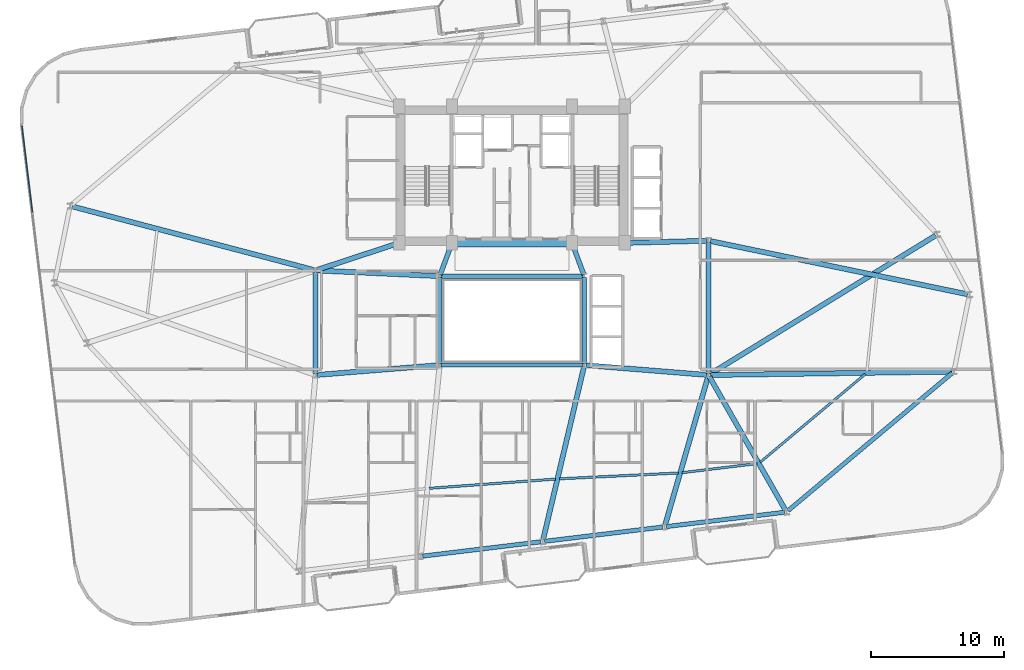
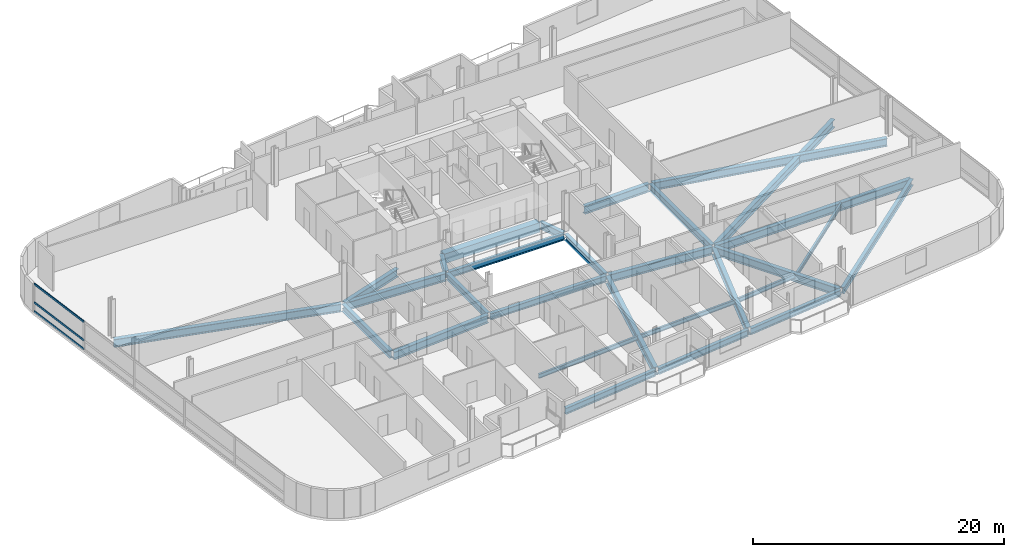
# One storey, part 7 of 23: 29 beams, 3 members, 1 element without a shape of its own.
"""IFC4 building model written with IfcOpenShell, lengths in metres."""

from ifc_helpers import new_model, si_unit, direction, frame, origin, origin_2d, place, context, subcontext, project, spatial, rectangle, hollow_rectangle, i_section, extrude, material, layer, layer_set, material_profile, profile_set, type_object, element, aggregate, save


model = new_model("IFC4")

# Units and contexts
model_context = context("Model", 3, precision=1e-05, world=origin(), true_north=direction((0.0, 1.0)))
body_context = subcontext(model_context, "Body", "Model", "MODEL_VIEW")
ifc_project = project(units=[si_unit("LENGTHUNIT", "METRE"), si_unit("AREAUNIT", "SQUARE_METRE"), si_unit("VOLUMEUNIT", "CUBIC_METRE"), si_unit("PLANEANGLEUNIT", "RADIAN"), si_unit("MASSUNIT", "GRAM", prefix="KILO")], contexts=[model_context])

# Site, building, storey
site_placement = place(None, origin())
site = spatial("IfcSite", under=ifc_project, at=site_placement, CompositionType="ELEMENT")
building_placement = place(site_placement, origin())
building = spatial("IfcBuilding", under=site, at=building_placement, Name="Varnelok Gate Tower", CompositionType="ELEMENT")
storey_placement = place(building_placement, frame((0.0, 0.0, 189.39990234375)))
storey = spatial("IfcBuildingStorey", under=building, at=storey_placement, Name="L48", CompositionType="ELEMENT", Elevation=189.39990234375)

# Beams
ifc_material_1 = material(Name="Structural Steel ASTM A992 Grade 50", Category="steel")
ifc_material_profile_1 = material_profile(ifc_material_1, i_section(OverallWidth=0.180908203125, OverallDepth=0.4169921875, WebThickness=0.010986328125, FlangeThickness=0.018310546875, FilletRadius=0.013916015625, at=origin_2d()), Name="W16X57")
ifc_profile_set_1 = profile_set([ifc_material_profile_1], Name="Structural Steel ASTM A992 Grade 50")
beam_type_1 = type_object("IfcBeamType", Name="BM-JST-W16X57", PredefinedType="JOIST", material=ifc_profile_set_1)
beam_1_placement = place(storey_placement, frame((32.970703125, 10.269775390625, -0.45849609375), z_axis=(0.997322853736, 0.073124041296, 0.0), x_axis=(-0.073124041296, 0.997322853736, 0.0)))
element("IfcBeam", 1, at=beam_1_placement, inside=storey, type_object=beam_type_1, Name="L48 Sector Floor Joist 2", PredefinedType="JOIST", context=body_context, shape_type="SweptSolid", body=[
    extrude(i_section(OverallWidth=0.180908203125, OverallDepth=0.4169921875, WebThickness=0.010986328125, FlangeThickness=0.018310546875, FilletRadius=0.013916015625, at=origin_2d()), origin(), (0.0, 0.0, 1.0), 9.538818359375),
])
beam_2_placement = place(storey_placement, frame((42.763427734375, 10.984375, -0.45849609375), z_axis=(0.998806692887, 0.048838409527, 0.0), x_axis=(-0.048838409527, 0.998806692887, 0.0)))
element("IfcBeam", 2, at=beam_2_placement, inside=storey, type_object=beam_type_1, Name="L48 Sector Floor Joist 3", PredefinedType="JOIST", context=body_context, shape_type="SweptSolid", body=[
    extrude(i_section(OverallWidth=0.180908203125, OverallDepth=0.4169921875, WebThickness=0.010986328125, FlangeThickness=0.018310546875, FilletRadius=0.013916015625, at=origin_2d()), origin(), (0.0, 0.0, 1.0), 8.97314453125),
])
beam_3_placement = place(storey_placement, frame((52.004638671875, 11.4462890625, -0.45849609375), z_axis=(0.992732072323, 0.12034547179, 0.0), x_axis=(-0.12034547179, 0.992732072323, 0.0)))
element("IfcBeam", 3, at=beam_3_placement, inside=storey, type_object=beam_type_1, Name="L48 Sector Floor Joist 4", PredefinedType="JOIST", context=body_context, shape_type="SweptSolid", body=[
    extrude(i_section(OverallWidth=0.180908203125, OverallDepth=0.4169921875, WebThickness=0.010986328125, FlangeThickness=0.018310546875, FilletRadius=0.013916015625, at=origin_2d()), origin(), (0.0, 0.0, 1.0), 5.686279296875),
])
beam_4_placement = place(storey_placement, frame((57.89599609375, 12.2373046875, -0.45849609375), z_axis=(0.766092067024, 0.642730849457, 0.0), x_axis=(-0.642730849457, 0.766092067024, 0.0)))
element("IfcBeam", 4, at=beam_4_placement, inside=storey, type_object=beam_type_1, Name="L48 Sector Floor Joist 5", PredefinedType="JOIST", context=body_context, shape_type="SweptSolid", body=[
    extrude(i_section(OverallWidth=0.180908203125, OverallDepth=0.4169921875, WebThickness=0.010986328125, FlangeThickness=0.018310546875, FilletRadius=0.013916015625, at=origin_2d()), origin(), (0.0, 0.0, 1.0), 10.330810546875),
])
ifc_material_2 = material(Name="Concrete C60/75", Category="concrete")
ifc_material_profile_2 = material_profile(ifc_material_2, rectangle(XDim=0.60009765625, YDim=0.949951171875, at=origin_2d()), Name="RC950X600")
ifc_profile_set_2 = profile_set([ifc_material_profile_2], Name="Concrete C60/75")
beam_type_2 = type_object("IfcBeamType", Name="BM-LNT-RC950", PredefinedType="LINTEL", material=ifc_profile_set_2)
beam_5_placement = place(storey_placement, frame((34.800048828125, 28.75, -0.724853515625), z_axis=(1.0, 0.0, 0.0), x_axis=(0.0, 1.0, 0.0)))
element("IfcBeam", 5, at=beam_5_placement, inside=storey, type_object=beam_type_2, Name="L48 Core-Atrium Spine Beam 7", PredefinedType="LINTEL", context=body_context, shape_type="SweptSolid", body=[
    extrude(rectangle(XDim=0.60009765625, YDim=0.949951171875, at=origin_2d()), origin(), (0.0, 0.0, 1.0), 8.800048828125),
])
ifc_material_profile_3 = material_profile(ifc_material_1, i_section(OverallWidth=0.35498046875, OverallDepth=0.696044921875, WebThickness=0.015380859375, FlangeThickness=0.02490234375, FilletRadius=0.02001953125, at=origin_2d()), Name="W27X146")
ifc_profile_set_3 = profile_set([ifc_material_profile_3], Name="Structural Steel ASTM A992 Grade 50")
beam_type_3 = type_object("IfcBeamType", Name="BM-PRI-W27X146", PredefinedType="BEAM", material=ifc_profile_set_3)
for number, where, z_axis, x_axis, name in (
    (6, (33.791748046875, 26.362548828125, -0.597900390625), (0.348719329408, 0.937227202602, 0.0), (-0.937227202602, 0.348719329408, 0.0), "L48 Core-Atrium Spine Beam 12"),
    (7, (44.608154296875, 26.362548828125, -0.597900390625), (-0.348719329408, 0.937227202602, 0.0), (-0.937227202602, -0.348719329408, 0.0), "L48 Core-Atrium Spine Beam 13"),
):
    element("IfcBeam", number, at=place(storey_placement, frame(where, z_axis=z_axis, x_axis=x_axis)), inside=storey, type_object=beam_type_3, Name=name, PredefinedType="BEAM", context=body_context, shape_type="SweptSolid", body=[
        extrude(i_section(OverallWidth=0.35498046875, OverallDepth=0.696044921875, WebThickness=0.015380859375, FlangeThickness=0.02490234375, FilletRadius=0.02001953125, at=origin_2d()), origin(), (0.0, 0.0, 1.0), 2.42724609375),
    ])
beam_6_placement = place(storey_placement, frame((24.39990234375, 18.919921875, -0.597900390625), z_axis=(0.0, 1.0, 0.0), x_axis=(-1.0, 0.0, 0.0)))
element("IfcBeam", 8, at=beam_6_placement, inside=storey, type_object=beam_type_3, Name="L48 Core-Atrium Spine Beam 16", PredefinedType="BEAM", context=body_context, shape_type="SweptSolid", body=[
    extrude(i_section(OverallWidth=0.35498046875, OverallDepth=0.696044921875, WebThickness=0.015380859375, FlangeThickness=0.02490234375, FilletRadius=0.02001953125, at=origin_2d()), origin(), (0.0, 0.0, 1.0), 7.64013671875),
])
beam_7_placement = place(storey_placement, frame((54.0, 18.919921875, -0.597900390625), z_axis=(0.0, 1.0, 0.0), x_axis=(-1.0, 0.0, 0.0)))
element("IfcBeam", 9, at=beam_7_placement, inside=storey, type_object=beam_type_3, Name="L48 Core-Atrium Spine Beam 20", PredefinedType="BEAM", context=body_context, shape_type="SweptSolid", body=[
    extrude(i_section(OverallWidth=0.35498046875, OverallDepth=0.696044921875, WebThickness=0.015380859375, FlangeThickness=0.02490234375, FilletRadius=0.02001953125, at=origin_2d()), origin(), (0.0, 0.0, 1.0), 9.880126953125),
])
ifc_material_profile_4 = material_profile(ifc_material_1, i_section(OverallWidth=0.381103515625, OverallDepth=0.77294921875, WebThickness=0.0166015625, FlangeThickness=0.027099609375, FilletRadius=0.02197265625, at=origin_2d()), Name="W30X173")
ifc_profile_set_4 = profile_set([ifc_material_profile_4], Name="Structural Steel ASTM A992 Grade 50")
beam_type_4 = type_object("IfcBeamType", Name="BM-PRI-W30X173", PredefinedType="BEAM", material=ifc_profile_set_4)
beam_8_placement = place(storey_placement, frame((24.51953125, 18.8095703125, -0.636474609375), z_axis=(0.996799206292, 0.07994587128, 0.0), x_axis=(-0.07994587128, 0.996799206292, 0.0)))
element("IfcBeam", 10, at=beam_8_placement, inside=storey, type_object=beam_type_4, Name="L48 Core-Atrium Spine Beam 14", PredefinedType="BEAM", context=body_context, shape_type="SweptSolid", body=[
    extrude(i_section(OverallWidth=0.381103515625, OverallDepth=0.77294921875, WebThickness=0.0166015625, FlangeThickness=0.027099609375, FilletRadius=0.02197265625, at=origin_2d()), origin(), (0.0, 0.0, 1.0), 9.14013671875),
])
beam_9_placement = place(storey_placement, frame((24.52001953125, 26.674560546875, -0.636474609375), z_axis=(0.99894427814, -0.045938319209, 0.0), x_axis=(0.045938319209, 0.99894427814, 0.0)))
element("IfcBeam", 11, at=beam_9_placement, inside=storey, type_object=beam_type_4, Name="L48 Core-Atrium Spine Beam 15", PredefinedType="BEAM", context=body_context, shape_type="SweptSolid", body=[
    extrude(i_section(OverallWidth=0.381103515625, OverallDepth=0.77294921875, WebThickness=0.0166015625, FlangeThickness=0.027099609375, FilletRadius=0.02197265625, at=origin_2d()), origin(), (0.0, 0.0, 1.0), 9.11962890625),
])
beam_10_placement = place(storey_placement, frame((24.513916015625, 26.717529296875, -0.636474609375), z_axis=(0.950041943788, 0.312122259768, 0.0), x_axis=(-0.312122259768, 0.950041943788, 0.0)))
element("IfcBeam", 12, at=beam_10_placement, inside=storey, type_object=beam_type_4, Name="L48 Core-Atrium Spine Beam 17", PredefinedType="BEAM", context=body_context, shape_type="SweptSolid", body=[
    extrude(i_section(OverallWidth=0.381103515625, OverallDepth=0.77294921875, WebThickness=0.0166015625, FlangeThickness=0.027099609375, FilletRadius=0.02197265625, at=origin_2d()), origin(), (0.0, 0.0, 1.0), 6.391357421875),
])
beam_11_placement = place(storey_placement, frame((44.76953125, 19.540283203125, -0.636474609375), z_axis=(0.996799206292, -0.07994587128, 0.0), x_axis=(0.07994587128, 0.996799206292, 0.0)))
element("IfcBeam", 13, at=beam_11_placement, inside=storey, type_object=beam_type_4, Name="L48 Core-Atrium Spine Beam 18", PredefinedType="BEAM", context=body_context, shape_type="SweptSolid", body=[
    extrude(i_section(OverallWidth=0.381103515625, OverallDepth=0.77294921875, WebThickness=0.0166015625, FlangeThickness=0.027099609375, FilletRadius=0.02197265625, at=origin_2d()), origin(), (0.0, 0.0, 1.0), 9.14013671875),
])
beam_12_placement = place(storey_placement, frame((47.820068359375, 28.753173828125, -0.636474609375), z_axis=(0.999635880609, 0.026983443053, 0.0), x_axis=(-0.026983443053, 0.999635880609, 0.0)))
element("IfcBeam", 14, at=beam_12_placement, inside=storey, type_object=beam_type_4, Name="L48 Core-Atrium Spine Beam 19", PredefinedType="BEAM", context=body_context, shape_type="SweptSolid", body=[
    extrude(i_section(OverallWidth=0.381103515625, OverallDepth=0.77294921875, WebThickness=0.0166015625, FlangeThickness=0.027099609375, FilletRadius=0.02197265625, at=origin_2d()), origin(), (0.0, 0.0, 1.0), 6.06201171875),
])
beam_13_placement = place(storey_placement, frame((44.615478515625, 19.404052734375, -0.636474609375), z_axis=(-0.230051892852, -0.973178363197, 0.0), x_axis=(0.973178363197, -0.230051892852, 0.0)))
element("IfcBeam", 15, at=beam_13_placement, inside=storey, type_object=beam_type_4, Name="L48 Radial Floor Girder 3", PredefinedType="BEAM", context=body_context, shape_type="SweptSolid", body=[
    extrude(i_section(OverallWidth=0.381103515625, OverallDepth=0.77294921875, WebThickness=0.0166015625, FlangeThickness=0.027099609375, FilletRadius=0.02197265625, at=origin_2d()), origin(), (0.0, 0.0, 1.0), 13.356689453125),
])
beam_14_placement = place(storey_placement, frame((53.958251953125, 18.656005859375, -0.636474609375), z_axis=(-0.278139351158, -0.960540733825, 0.0), x_axis=(0.960540733825, -0.278139351158, 0.0)))
element("IfcBeam", 16, at=beam_14_placement, inside=storey, type_object=beam_type_4, Name="L48 Radial Floor Girder 4", PredefinedType="BEAM", context=body_context, shape_type="SweptSolid", body=[
    extrude(i_section(OverallWidth=0.381103515625, OverallDepth=0.77294921875, WebThickness=0.0166015625, FlangeThickness=0.027099609375, FilletRadius=0.02197265625, at=origin_2d()), origin(), (0.0, 0.0, 1.0), 11.596923828125),
])
beam_15_placement = place(storey_placement, frame((54.07421875, 18.669677734375, -0.636474609375), z_axis=(0.494868053933, -0.868968128988, 0.0), x_axis=(0.868968128988, 0.494868053933, 0.0)))
element("IfcBeam", 17, at=beam_15_placement, inside=storey, type_object=beam_type_4, Name="L48 Radial Floor Girder 5", PredefinedType="BEAM", context=body_context, shape_type="SweptSolid", body=[
    extrude(i_section(OverallWidth=0.381103515625, OverallDepth=0.77294921875, WebThickness=0.0166015625, FlangeThickness=0.027099609375, FilletRadius=0.02197265625, at=origin_2d()), origin(), (0.0, 0.0, 1.0), 11.5693359375),
])
beam_16_placement = place(storey_placement, frame((54.14990234375, 18.802001953125, -0.636474609375), z_axis=(0.999901514109, 0.014034318056, 0.0), x_axis=(-0.014034318056, 0.999901514109, 0.0)))
element("IfcBeam", 18, at=beam_16_placement, inside=storey, type_object=beam_type_4, Name="L48 Radial Floor Girder 6", PredefinedType="BEAM", context=body_context, shape_type="SweptSolid", body=[
    extrude(i_section(OverallWidth=0.381103515625, OverallDepth=0.77294921875, WebThickness=0.0166015625, FlangeThickness=0.027099609375, FilletRadius=0.02197265625, at=origin_2d()), origin(), (0.0, 0.0, 1.0), 18.1787109375),
])
beam_17_placement = place(storey_placement, frame((54.14697265625, 28.8896484375, -0.636474609375), z_axis=(0.979255265667, -0.202630512665, 0.0), x_axis=(0.202630512665, 0.979255265667, 0.0)))
element("IfcBeam", 19, at=beam_17_placement, inside=storey, type_object=beam_type_4, Name="L48 Radial Floor Girder 7", PredefinedType="BEAM", context=body_context, shape_type="SweptSolid", body=[
    extrude(i_section(OverallWidth=0.381103515625, OverallDepth=0.77294921875, WebThickness=0.0166015625, FlangeThickness=0.027099609375, FilletRadius=0.02197265625, at=origin_2d()), origin(), (0.0, 0.0, 1.0), 19.7705078125),
])
beam_18_placement = place(storey_placement, frame((54.127685546875, 18.87841796875, -0.636474609375), z_axis=(0.852014595228, 0.523518031703, 0.0), x_axis=(-0.523518031703, 0.852014595228, 0.0)))
element("IfcBeam", 20, at=beam_18_placement, inside=storey, type_object=beam_type_4, Name="L48 Radial Floor Girder 8", PredefinedType="BEAM", context=body_context, shape_type="SweptSolid", body=[
    extrude(i_section(OverallWidth=0.381103515625, OverallDepth=0.77294921875, WebThickness=0.0166015625, FlangeThickness=0.027099609375, FilletRadius=0.02197265625, at=origin_2d()), origin(), (0.0, 0.0, 1.0), 19.917236328125),
])
beam_19_placement = place(storey_placement, frame((24.2548828125, 26.71826171875, -0.636474609375), z_axis=(-0.967098244451, 0.254403194908, 0.0), x_axis=(-0.254403194908, -0.967098244451, 0.0)))
element("IfcBeam", 21, at=beam_19_placement, inside=storey, type_object=beam_type_4, Name="L48 Radial Floor Girder 14", PredefinedType="BEAM", context=body_context, shape_type="SweptSolid", body=[
    extrude(i_section(OverallWidth=0.381103515625, OverallDepth=0.77294921875, WebThickness=0.0166015625, FlangeThickness=0.027099609375, FilletRadius=0.02197265625, at=origin_2d()), origin(), (0.0, 0.0, 1.0), 18.805419921875),
])
ifc_material_profile_5 = material_profile(ifc_material_1, i_section(OverallWidth=0.323974609375, OverallDepth=0.611083984375, WebThickness=0.0126953125, FlangeThickness=0.01904296875, FilletRadius=0.01806640625, at=origin_2d()), Name="W24X104")
ifc_profile_set_5 = profile_set([ifc_material_profile_5], Name="Structural Steel ASTM A992 Grade 50")
beam_type_5 = type_object("IfcBeamType", Name="BM-SPN-W24X104", PredefinedType="SPANDREL", material=ifc_profile_set_5)
for number, where, z_axis, x_axis, name in (
    (22, (33.8701171875, 19.550048828125, -0.555419921875), (1.0, 0.0, 0.0), (0.0, 1.0, 0.0), "L48 Core-Atrium Spine Beam 8"),
    (23, (33.8701171875, 26.25, -0.555419921875), (1.0, 0.0, 0.0), (0.0, 1.0, 0.0), "L48 Core-Atrium Spine Beam 9"),
):
    element("IfcBeam", number, at=place(storey_placement, frame(where, z_axis=z_axis, x_axis=x_axis)), inside=storey, type_object=beam_type_5, Name=name, PredefinedType="SPANDREL", context=body_context, shape_type="SweptSolid", body=[
        extrude(i_section(OverallWidth=0.323974609375, OverallDepth=0.611083984375, WebThickness=0.0126953125, FlangeThickness=0.01904296875, FilletRadius=0.01806640625, at=origin_2d()), origin(), (0.0, 0.0, 1.0), 10.659912109375),
    ])
for number, where, z_axis, x_axis, name in (
    (24, (33.75, 19.669921875, -0.555419921875), (0.0, 1.0, 0.0), (-1.0, 0.0, 0.0), "L48 Core-Atrium Spine Beam 10"),
    (25, (44.64990234375, 19.669921875, -0.555419921875), (0.0, 1.0, 0.0), (-1.0, 0.0, 0.0), "L48 Core-Atrium Spine Beam 11"),
):
    element("IfcBeam", number, at=place(storey_placement, frame(where, z_axis=z_axis, x_axis=x_axis)), inside=storey, type_object=beam_type_5, Name=name, PredefinedType="SPANDREL", context=body_context, shape_type="SweptSolid", body=[
        extrude(i_section(OverallWidth=0.323974609375, OverallDepth=0.611083984375, WebThickness=0.0126953125, FlangeThickness=0.01904296875, FilletRadius=0.01806640625, at=origin_2d()), origin(), (0.0, 0.0, 1.0), 6.4599609375),
    ])
for number, where, z_axis, x_axis, name in (
    (26, (32.474365234375, 5.164306640625, -0.555419921875), (0.992734670707, 0.120324035735, 0.0), (-0.120324035735, 0.992734670707, 0.0), "L48 Perimeter Spandrel Beam 2"),
    (27, (41.656982421875, 6.277587890625, -0.555419921875), (0.992734670707, 0.120324035735, 0.0), (-0.120324035735, 0.992734670707, 0.0), "L48 Perimeter Spandrel Beam 3"),
    (28, (50.83984375, 7.390625, -0.555419921875), (0.99273141198, 0.120350918849, 0.0), (-0.120350918849, 0.99273141198, 0.0), "L48 Perimeter Spandrel Beam 4"),
):
    element("IfcBeam", number, at=place(storey_placement, frame(where, z_axis=z_axis, x_axis=x_axis)), inside=storey, type_object=beam_type_5, Name=name, PredefinedType="SPANDREL", context=body_context, shape_type="SweptSolid", body=[
        extrude(i_section(OverallWidth=0.323974609375, OverallDepth=0.611083984375, WebThickness=0.0126953125, FlangeThickness=0.01904296875, FilletRadius=0.01806640625, at=origin_2d()), origin(), (0.0, 0.0, 1.0), 8.949951171875),
    ])
beam_20_placement = place(storey_placement, frame((59.98876953125, 8.582275390625, -0.555419921875), z_axis=(0.766099582792, 0.642721891059, 0.0), x_axis=(-0.642721891059, 0.766099582792, 0.0)))
element("IfcBeam", 29, at=beam_20_placement, inside=storey, type_object=beam_type_5, Name="L48 Perimeter Spandrel Beam 5", PredefinedType="SPANDREL", context=body_context, shape_type="SweptSolid", body=[
    extrude(i_section(OverallWidth=0.323974609375, OverallDepth=0.611083984375, WebThickness=0.0126953125, FlangeThickness=0.01904296875, FilletRadius=0.01806640625, at=origin_2d()), origin(), (0.0, 0.0, 1.0), 16.151123046875),
])

# Curtain wall, members
ifc_material_3 = material(Name="Anodized Aluminum Alloy 6063-T6", Category="aluminium")
ifc_layer = layer(ifc_material_3, 0.179931640625)
ifc_layer_set = layer_set([ifc_layer], Name="Anodized Aluminum Alloy 6063-T6")
curtain_wall_type = type_object("IfcCurtainWallType", Name="CW4-RESIDENCE-VISION", PredefinedType="USERDEFINED", material=ifc_layer_set)
curtain_wall_placement = place(storey_placement, origin())
curtain_wall = element("IfcCurtainWall", 30, at=curtain_wall_placement, inside=storey, type_object=curtain_wall_type, Name="L48 West End Vision Curtain Wall", ObjectType="UNITISED CURTAIN WALL", PredefinedType="USERDEFINED")
ifc_material_profile_6 = material_profile(ifc_material_3, hollow_rectangle(XDim=0.074951171875, YDim=0.199951171875, WallThickness=0.00390625, at=origin_2d()), Name="ALU200X75X4")
ifc_profile_set_6 = profile_set([ifc_material_profile_6], Name="Anodized Aluminum Alloy 6063-T6")
member_type = type_object("IfcMemberType", Name="CW-TRAN-200", PredefinedType="USERDEFINED", material=ifc_profile_set_6)
member_1_placement = place(storey_placement, frame((3.085205078125, 31.052978515625, 0.03759765625), z_axis=(-0.120332477695, 0.992733647466, 0.0), x_axis=(-0.992733647466, -0.120332477695, 0.0)))
member_1 = element("IfcMember", 31, at=member_1_placement, type_object=member_type, Name="CW4 transom 5.1", ObjectType="TRANSOM", PredefinedType="USERDEFINED", context=body_context, shape_type="SweptSolid", body=[
    extrude(hollow_rectangle(XDim=0.074951171875, YDim=0.199951171875, WallThickness=0.00390625, at=origin_2d()), origin(), (0.0, 0.0, 1.0), 6.5673828125),
])
member_2_placement = place(storey_placement, frame((3.085205078125, 31.052978515625, 0.900146484375), z_axis=(-0.120332477695, 0.992733647466, 0.0), x_axis=(-0.992733647466, -0.120332477695, 0.0)))
member_2 = element("IfcMember", 32, at=member_2_placement, type_object=member_type, Name="CW4 transom 5.2", ObjectType="TRANSOM", PredefinedType="USERDEFINED", context=body_context, shape_type="SweptSolid", body=[
    extrude(hollow_rectangle(XDim=0.074951171875, YDim=0.199951171875, WallThickness=0.00390625, at=origin_2d()), origin(), (0.0, 0.0, 1.0), 6.5673828125),
])
member_3_placement = place(storey_placement, frame((3.085205078125, 31.052978515625, 2.692626953125), z_axis=(-0.120332477695, 0.992733647466, 0.0), x_axis=(-0.992733647466, -0.120332477695, 0.0)))
member_3 = element("IfcMember", 33, at=member_3_placement, type_object=member_type, Name="CW4 transom 5.3", ObjectType="TRANSOM", PredefinedType="USERDEFINED", context=body_context, shape_type="SweptSolid", body=[
    extrude(hollow_rectangle(XDim=0.074951171875, YDim=0.199951171875, WallThickness=0.00390625, at=origin_2d()), origin(), (0.0, 0.0, 1.0), 6.5673828125),
])
aggregate(curtain_wall, [member_1, member_2, member_3])

save(model, "model.ifc")
